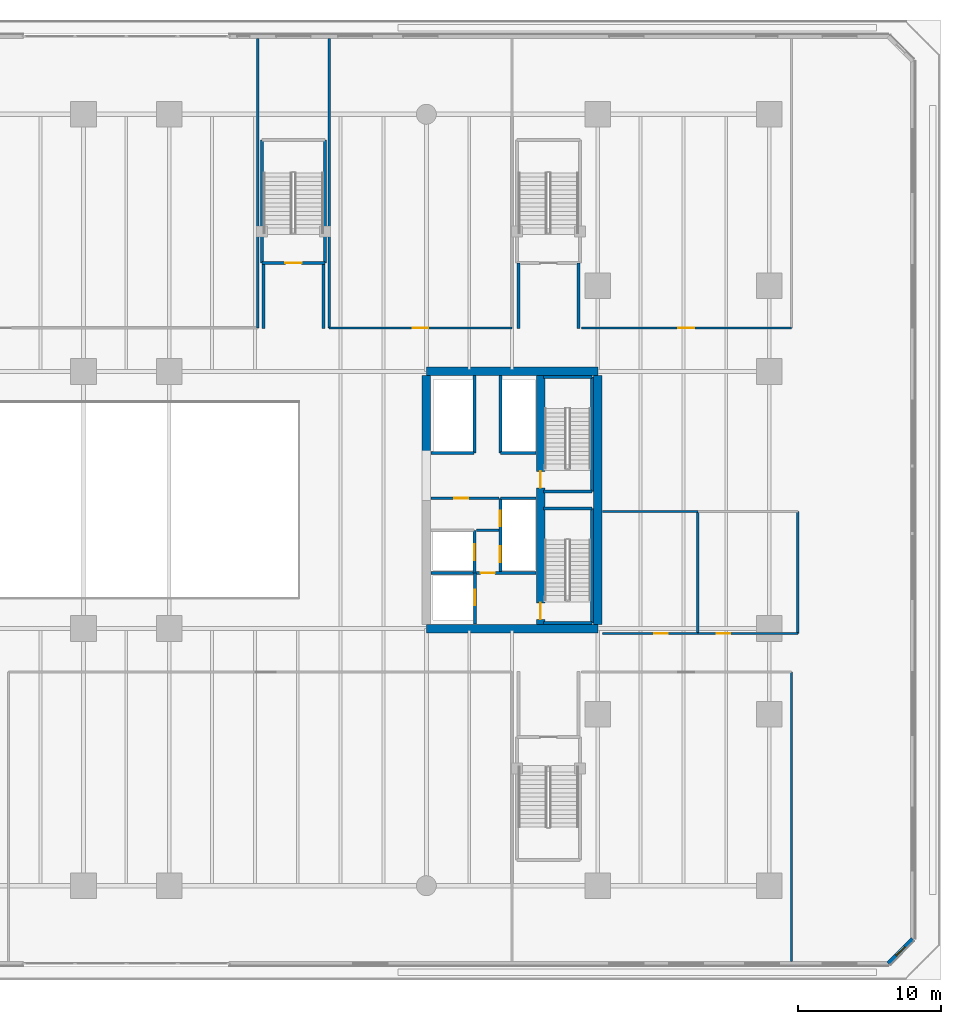
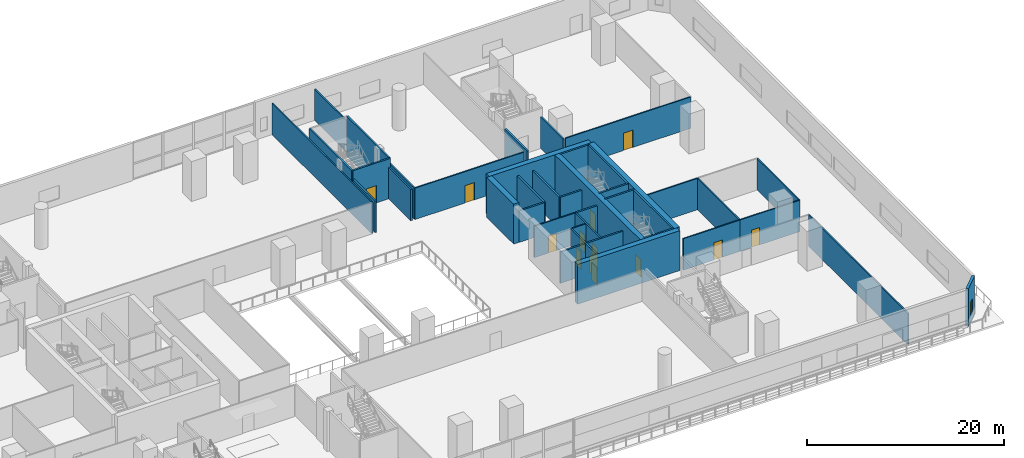
# One storey, part 9 of 24: 40 walls, 13 doors, 1 window, 14 openings.
"""IFC4 building model written with IfcOpenShell, lengths in metres."""

from ifc_helpers import new_model, si_unit, direction, frame, frame_2d, origin, place, context, subcontext, project, spatial, rectangle, extrude, material, layer, layer_set, type_object, element, fill, save


model = new_model("IFC4")

# Units and contexts
model_context = context("Model", 3, precision=1e-05, world=origin(), true_north=direction((0.0, 1.0)))
body_context = subcontext(model_context, "Body", "Model", "MODEL_VIEW")
ifc_project = project(units=[si_unit("LENGTHUNIT", "METRE"), si_unit("AREAUNIT", "SQUARE_METRE"), si_unit("VOLUMEUNIT", "CUBIC_METRE"), si_unit("PLANEANGLEUNIT", "RADIAN"), si_unit("MASSUNIT", "GRAM", prefix="KILO")], contexts=[model_context])

# Site, building, storey
site_placement = place(None, origin())
site = spatial("IfcSite", under=ifc_project, at=site_placement, CompositionType="ELEMENT")
building_placement = place(site_placement, origin())
building = spatial("IfcBuilding", under=site, at=building_placement, Name="Tanjung Sevakor Pilgrim Tower", CompositionType="ELEMENT")
storey_placement = place(building_placement, frame((0.0, 0.0, 4.949951171875)))
storey = spatial("IfcBuildingStorey", under=building, at=storey_placement, Name="L02", CompositionType="ELEMENT", Elevation=4.949951171875)

# Walls
ifc_material_1 = material(Name="Concrete C60/75", Category="concrete")
ifc_layer_1 = layer(ifc_material_1, 0.60009765625)
ifc_layer_set_1 = layer_set([ifc_layer_1], Name="WALL-CW-600")
wall_type_1 = type_object("IfcWallType", Name="WALL-CW-600", PredefinedType="SHEAR", material=ifc_layer_set_1)
for number, where, z_axis, x_axis, name in (
    (1, (78.0, 24.60009765625, 0.0), (0.0, 0.0, 1.0), (1.0, 0.0, 0.0), "L02 E Core South Shear Wall"),
    (2, (90.0, 42.60009765625, 0.0), (0.0, 0.0, 1.0), (-1.0, 0.0, 0.0), "L02 E Core North Shear Wall"),
):
    element("IfcWall", number, at=place(storey_placement, frame(where, z_axis=z_axis, x_axis=x_axis)), inside=storey, type_object=wall_type_1, Name=name, PredefinedType="SHEAR", context=body_context, shape_type="SweptSolid", body=[
        extrude(rectangle(XDim=12.0, YDim=0.60009765625, at=frame_2d((6.0, 0.0))), origin(), (0.0, 0.0, 1.0), 4.949951171875),
    ])
wall_1_placement = place(storey_placement, frame((90.0, 24.89990234375, 0.0), z_axis=(0.0, 0.0, 1.0), x_axis=(0.0, 1.0, 0.0)))
element("IfcWall", 3, at=wall_1_placement, inside=storey, type_object=wall_type_1, Name="L02 E Core Outer Shear Wall", PredefinedType="SHEAR", context=body_context, shape_type="SweptSolid", body=[
    extrude(rectangle(XDim=17.400146484375, YDim=0.60009765625, at=frame_2d((8.7001953125, 0.0))), origin(), (0.0, 0.0, 1.0), 4.949951171875),
])
wall_2_placement = place(storey_placement, frame((78.0, 36.800048828125, 0.0), z_axis=(0.0, 0.0, 1.0), x_axis=(0.0, 1.0, 0.0)))
element("IfcWall", 4, at=wall_2_placement, inside=storey, type_object=wall_type_1, Name="L02 E Core Inner Shear Wall North", PredefinedType="SHEAR", context=body_context, shape_type="SweptSolid", body=[
    extrude(rectangle(XDim=5.5, YDim=0.60009765625, at=frame_2d((2.75, 0.0))), origin(), (0.0, 0.0, 1.0), 4.949951171875),
])

# Wall, openings, doors
wall_3_placement = place(storey_placement, frame((86.0, 24.89990234375, 0.0), z_axis=(0.0, 0.0, 1.0), x_axis=(0.0, 1.0, 0.0)))
wall_3 = element("IfcWall", 5, at=wall_3_placement, inside=storey, type_object=wall_type_1, Name="L02 E Core Stair Spine Wall", PredefinedType="SHEAR", context=body_context, shape_type="SweptSolid", body=[
    extrude(rectangle(XDim=17.400146484375, YDim=0.60009765625, at=frame_2d((8.7001953125, 0.0))), origin(), (0.0, 0.0, 1.0), 4.949951171875),
])
opening_1_placement = place(wall_3_placement, frame((0.35009765625, 0.0, 0.0)))
opening_1 = element("IfcOpeningElement", 6, at=opening_1_placement, cuts=wall_3, Name="Opening ID-ST1", PredefinedType="OPENING", context=body_context, shape_type="SweptSolid", body=[
    extrude(rectangle(XDim=1.14990234375, YDim=2.14990234375, at=frame_2d((0.574951171875, 1.074951171875))), frame((0.0, 0.31005859375, 0.0), z_axis=(0.0, -1.0, 0.0), x_axis=(1.0, 0.0, 0.0)), (0.0, 0.0, 1.0), 0.6201171875),
])
opening_2_placement = place(wall_3_placement, frame((9.550048828125, 0.0, 0.0)))
opening_2 = element("IfcOpeningElement", 7, at=opening_2_placement, cuts=wall_3, Name="Opening ID-ST1", PredefinedType="OPENING", context=body_context, shape_type="SweptSolid", body=[
    extrude(rectangle(XDim=1.14990234375, YDim=2.14990234375, at=frame_2d((0.574951171875, 1.074951171875))), frame((0.0, 0.31005859375, 0.0), z_axis=(0.0, -1.0, 0.0), x_axis=(1.0, 0.0, 0.0)), (0.0, 0.0, 1.0), 0.6201171875),
])
ifc_material_2 = material(Name="Fire-Rated Steel S355J2", Category="steel")
door_type_1 = type_object("IfcDoorType", Name="DT-FIRE-1150", OperationType="NOTDEFINED", PredefinedType="DOOR", material=ifc_material_2)
door_1_placement = place(opening_1_placement, origin())
door_1 = element("IfcDoor", 8, at=door_1_placement, inside=storey, type_object=door_type_1, Name="L02 TS-E1 Stair Fire Door", OperationType="SINGLE_SWING_RIGHT", OverallHeight=2.14990234375, OverallWidth=1.14990234375, PredefinedType="DOOR", context=body_context, shape_type="SweptSolid", body=[
    extrude(rectangle(XDim=1.14990234375, YDim=2.14990234375, at=frame_2d((0.574951171875, 1.074951171875))), frame((0.0, 0.02490234375, 0.0), z_axis=(0.0, -1.0, 0.0), x_axis=(1.0, 0.0, 0.0)), (0.0, 0.0, 1.0), 0.050048828125),
])
fill(opening_1, door_1)
door_2_placement = place(opening_2_placement, origin())
door_2 = element("IfcDoor", 9, at=door_2_placement, inside=storey, type_object=door_type_1, Name="L02 TS-E2 Stair Fire Door", OperationType="SINGLE_SWING_LEFT", OverallHeight=2.14990234375, OverallWidth=1.14990234375, PredefinedType="DOOR", context=body_context, shape_type="SweptSolid", body=[
    extrude(rectangle(XDim=1.14990234375, YDim=2.14990234375, at=frame_2d((0.574951171875, 1.074951171875))), frame((0.0, 0.02490234375, 0.0), z_axis=(0.0, -1.0, 0.0), x_axis=(1.0, 0.0, 0.0)), (0.0, 0.0, 1.0), 0.050048828125),
])
fill(opening_2, door_2)

# Wall
ifc_material_3 = material(Name="Concrete C40/50", Category="concrete")
ifc_layer_2 = layer(ifc_material_3, 0.14990234375)
ifc_layer_set_2 = layer_set([ifc_layer_2], Name="WT-COMP-150")
wall_type_2 = type_object("IfcWallType", Name="WT-COMP-150", PredefinedType="SOLIDWALL", material=ifc_layer_set_2)
wall_4_placement = place(storey_placement, frame((81.5, 31.47998046875, 0.0), z_axis=(0.0, 0.0, 1.0), x_axis=(1.0, 0.0, 0.0)))
element("IfcWall", 10, at=wall_4_placement, inside=storey, type_object=wall_type_2, Name="L02 Partition IW-L02-019", PredefinedType="SOLIDWALL", context=body_context, shape_type="SweptSolid", body=[
    extrude(rectangle(XDim=1.60009765625, YDim=0.14990234375, at=frame_2d((0.800048828125, 0.0))), origin(), (0.0, 0.0, 1.0), 3.889892578125),
])

# Wall, opening, door
wall_5_placement = place(storey_placement, frame((78.320068359375, 33.719970703125, 0.0), z_axis=(0.0, 0.0, 1.0), x_axis=(1.0, 0.0, 0.0)))
wall_5 = element("IfcWall", 11, at=wall_5_placement, inside=storey, type_object=wall_type_2, Name="L02 Partition IW-L02-020", PredefinedType="SOLIDWALL", context=body_context, shape_type="SweptSolid", body=[
    extrude(rectangle(XDim=4.780029296875, YDim=0.14990234375, at=frame_2d((2.39013671875, 0.0))), origin(), (0.0, 0.0, 1.0), 3.889892578125),
])
opening_3_placement = place(wall_5_placement, frame((1.64990234375, 0.0, 0.0)))
opening_3 = element("IfcOpeningElement", 12, at=opening_3_placement, cuts=wall_5, Name="Opening ID-FD2", PredefinedType="OPENING", context=body_context, shape_type="SweptSolid", body=[
    extrude(rectangle(XDim=0.949951171875, YDim=2.14990234375, at=frame_2d((0.47509765625, 1.074951171875))), frame((0.0, 0.0849609375, 0.0), z_axis=(0.0, -1.0, 0.0), x_axis=(1.0, 0.0, 0.0)), (0.0, 0.0, 1.0), 0.169921875),
])
ifc_material_4 = material(Name="Fire-Rated Timber", Category="wood")
door_type_2 = type_object("IfcDoorType", Name="DT-FIRE-950", OperationType="NOTDEFINED", PredefinedType="DOOR", material=ifc_material_4)
door_3_placement = place(opening_3_placement, origin())
door_3 = element("IfcDoor", 13, at=door_3_placement, inside=storey, type_object=door_type_2, Name="L02 Accessible WC Door", OperationType="SINGLE_SWING_RIGHT", OverallHeight=2.14990234375, OverallWidth=0.949951171875, PredefinedType="DOOR", context=body_context, shape_type="SweptSolid", body=[
    extrude(rectangle(XDim=0.949951171875, YDim=2.14990234375, at=frame_2d((0.47509765625, 1.074951171875))), frame((0.0, 0.02490234375, 0.0), z_axis=(0.0, -1.0, 0.0), x_axis=(1.0, 0.0, 0.0)), (0.0, 0.0, 1.0), 0.050048828125),
])
fill(opening_3, door_3)

# Wall
wall_6_placement = place(storey_placement, frame((66.199951171875, 45.64990234375, 0.0), z_axis=(0.0, 0.0, 1.0), x_axis=(0.0, 1.0, 0.0)))
element("IfcWall", 14, at=wall_6_placement, inside=storey, type_object=wall_type_2, Name="L02 Partition IW-L02-044", PredefinedType="SOLIDWALL", context=body_context, shape_type="SweptSolid", body=[
    extrude(rectangle(XDim=20.25, YDim=0.14990234375, at=frame_2d((10.125, 0.0))), origin(), (0.0, 0.0, 1.0), 3.889892578125),
])

# Wall, opening, door
wall_7_placement = place(storey_placement, frame((90.320068359375, 24.25, 0.0), z_axis=(0.0, 0.0, 1.0), x_axis=(1.0, 0.0, 0.0)))
wall_7 = element("IfcWall", 15, at=wall_7_placement, inside=storey, type_object=wall_type_2, Name="L02 Partition IW-L02-051", PredefinedType="SOLIDWALL", context=body_context, shape_type="SweptSolid", body=[
    extrude(rectangle(XDim=6.679931640625, YDim=0.14990234375, at=frame_2d((3.33984375, 0.0))), origin(), (0.0, 0.0, 1.0), 3.889892578125),
])
opening_4_placement = place(wall_7_placement, frame((3.625, 0.0, 0.0)))
opening_4 = element("IfcOpeningElement", 16, at=opening_4_placement, cuts=wall_7, Name="Opening ID-RM1", PredefinedType="OPENING", context=body_context, shape_type="SweptSolid", body=[
    extrude(rectangle(XDim=0.949951171875, YDim=2.14990234375, at=frame_2d((0.47509765625, 1.074951171875))), frame((0.0, 0.0849609375, 0.0), z_axis=(0.0, -1.0, 0.0), x_axis=(1.0, 0.0, 0.0)), (0.0, 0.0, 1.0), 0.169921875),
])
ifc_material_5 = material(Name="Hardwood Timber", Category="wood")
door_type_3 = type_object("IfcDoorType", Name="DT-INT-950", OperationType="NOTDEFINED", PredefinedType="DOOR", material=ifc_material_5)
door_4_placement = place(opening_4_placement, origin())
door_4 = element("IfcDoor", 17, at=door_4_placement, inside=storey, type_object=door_type_3, Name="L02 Female Ablution Door", OperationType="SINGLE_SWING_RIGHT", OverallHeight=2.14990234375, OverallWidth=0.949951171875, PredefinedType="DOOR", context=body_context, shape_type="SweptSolid", body=[
    extrude(rectangle(XDim=0.949951171875, YDim=2.14990234375, at=frame_2d((0.47509765625, 1.074951171875))), frame((0.0, 0.02490234375, 0.0), z_axis=(0.0, -1.0, 0.0), x_axis=(1.0, 0.0, 0.0)), (0.0, 0.0, 1.0), 0.050048828125),
])
fill(opening_4, door_4)

# Wall
wall_8_placement = place(storey_placement, frame((90.320068359375, 32.800048828125, 0.0), z_axis=(0.0, 0.0, 1.0), x_axis=(1.0, 0.0, 0.0)))
element("IfcWall", 18, at=wall_8_placement, inside=storey, type_object=wall_type_2, Name="L02 Partition IW-L02-052", PredefinedType="SOLIDWALL", context=body_context, shape_type="SweptSolid", body=[
    extrude(rectangle(XDim=6.679931640625, YDim=0.14990234375, at=frame_2d((3.33984375, 0.0))), origin(), (0.0, 0.0, 1.0), 3.889892578125),
])

# Wall, opening, door
wall_9_placement = place(storey_placement, frame((97.0, 24.25, 0.0), z_axis=(0.0, 0.0, 1.0), x_axis=(1.0, 0.0, 0.0)))
wall_9 = element("IfcWall", 19, at=wall_9_placement, inside=storey, type_object=wall_type_2, Name="L02 Partition IW-L02-053", PredefinedType="SOLIDWALL", context=body_context, shape_type="SweptSolid", body=[
    extrude(rectangle(XDim=7.0, YDim=0.14990234375, at=frame_2d((3.5, 0.0))), origin(), (0.0, 0.0, 1.0), 3.889892578125),
])
opening_5_placement = place(wall_9_placement, frame((1.324951171875, 0.0, 0.0)))
opening_5 = element("IfcOpeningElement", 20, at=opening_5_placement, cuts=wall_9, Name="Opening ID-RM1", PredefinedType="OPENING", context=body_context, shape_type="SweptSolid", body=[
    extrude(rectangle(XDim=0.949951171875, YDim=2.14990234375, at=frame_2d((0.47509765625, 1.074951171875))), frame((0.0, 0.0849609375, 0.0), z_axis=(0.0, -1.0, 0.0), x_axis=(1.0, 0.0, 0.0)), (0.0, 0.0, 1.0), 0.169921875),
])
door_5_placement = place(opening_5_placement, origin())
door_5 = element("IfcDoor", 21, at=door_5_placement, inside=storey, type_object=door_type_3, Name="L02 Female Washroom Door", OperationType="SINGLE_SWING_LEFT", OverallHeight=2.14990234375, OverallWidth=0.949951171875, PredefinedType="DOOR", context=body_context, shape_type="SweptSolid", body=[
    extrude(rectangle(XDim=0.949951171875, YDim=2.14990234375, at=frame_2d((0.47509765625, 1.074951171875))), frame((0.0, 0.02490234375, 0.0), z_axis=(0.0, -1.0, 0.0), x_axis=(1.0, 0.0, 0.0)), (0.0, 0.0, 1.0), 0.050048828125),
])
fill(opening_5, door_5)

# Walls
for number, where, z_axis, x_axis, name in (
    (22, (97.0, 24.25, 0.0), (0.0, 0.0, 1.0), (0.0, 1.0, 0.0), "L02 Partition IW-L02-055"),
    (23, (104.0, 24.25, 0.0), (0.0, 0.0, 1.0), (0.0, 1.0, 0.0), "L02 Partition IW-L02-056"),
):
    element("IfcWall", number, at=place(storey_placement, frame(where, z_axis=z_axis, x_axis=x_axis)), inside=storey, type_object=wall_type_2, Name=name, PredefinedType="SOLIDWALL", context=body_context, shape_type="SweptSolid", body=[
        extrude(rectangle(XDim=8.550048828125, YDim=0.14990234375, at=frame_2d((4.27490234375, 0.0))), origin(), (0.0, 0.0, 1.0), 3.889892578125),
    ])

# Wall, opening, door
wall_10_placement = place(storey_placement, frame((71.199951171875, 45.64990234375, 0.0), z_axis=(0.0, 0.0, 1.0), x_axis=(1.0, 0.0, 0.0)))
wall_10 = element("IfcWall", 24, at=wall_10_placement, inside=storey, type_object=wall_type_2, Name="L02 Partition IW-L02-060", PredefinedType="SOLIDWALL", context=body_context, shape_type="SweptSolid", body=[
    extrude(rectangle(XDim=12.800048828125, YDim=0.14990234375, at=frame_2d((6.39990234375, 0.0))), origin(), (0.0, 0.0, 1.0), 3.889892578125),
])
opening_6_placement = place(wall_10_placement, frame((5.85009765625, 0.0, 0.0)))
opening_6 = element("IfcOpeningElement", 25, at=opening_6_placement, cuts=wall_10, Name="Opening ID-RM2", PredefinedType="OPENING", context=body_context, shape_type="SweptSolid", body=[
    extrude(rectangle(XDim=1.10009765625, YDim=2.14990234375, at=frame_2d((0.550048828125, 1.074951171875))), frame((0.0, 0.0849609375, 0.0), z_axis=(0.0, -1.0, 0.0), x_axis=(1.0, 0.0, 0.0)), (0.0, 0.0, 1.0), 0.169921875),
])
ifc_material_6 = material(Name="Hardwood Timber", Category="wood")
door_type_4 = type_object("IfcDoorType", Name="DT-INT-1100", OperationType="NOTDEFINED", PredefinedType="DOOR", material=ifc_material_6)
door_6_placement = place(opening_6_placement, origin())
door_6 = element("IfcDoor", 26, at=door_6_placement, inside=storey, type_object=door_type_4, Name="L02 Community Room Door", OperationType="SINGLE_SWING_LEFT", OverallHeight=2.14990234375, OverallWidth=1.10009765625, PredefinedType="DOOR", context=body_context, shape_type="SweptSolid", body=[
    extrude(rectangle(XDim=1.10009765625, YDim=2.14990234375, at=frame_2d((0.550048828125, 1.074951171875))), frame((0.0, 0.02490234375, 0.0), z_axis=(0.0, -1.0, 0.0), x_axis=(1.0, 0.0, 0.0)), (0.0, 0.0, 1.0), 0.050048828125),
])
fill(opening_6, door_6)

# Wall
wall_11_placement = place(storey_placement, frame((71.199951171875, 45.64990234375, 0.0), z_axis=(0.0, 0.0, 1.0), x_axis=(0.0, 1.0, 0.0)))
element("IfcWall", 27, at=wall_11_placement, inside=storey, type_object=wall_type_2, Name="L02 Partition IW-L02-061", PredefinedType="SOLIDWALL", context=body_context, shape_type="SweptSolid", body=[
    extrude(rectangle(XDim=20.25, YDim=0.14990234375, at=frame_2d((10.125, 0.0))), origin(), (0.0, 0.0, 1.0), 3.889892578125),
])

# Wall, opening, door
wall_12_placement = place(storey_placement, frame((88.85009765625, 45.64990234375, 0.0), z_axis=(0.0, 0.0, 1.0), x_axis=(1.0, 0.0, 0.0)))
wall_12 = element("IfcWall", 28, at=wall_12_placement, inside=storey, type_object=wall_type_2, Name="L02 Partition IW-L02-063", PredefinedType="SOLIDWALL", context=body_context, shape_type="SweptSolid", body=[
    extrude(rectangle(XDim=14.699951171875, YDim=0.14990234375, at=frame_2d((7.35009765625, 0.0))), origin(), (0.0, 0.0, 1.0), 3.889892578125),
])
opening_7_placement = place(wall_12_placement, frame((6.800048828125, 0.0, 0.0)))
opening_7 = element("IfcOpeningElement", 29, at=opening_7_placement, cuts=wall_12, Name="Opening ID-RM2", PredefinedType="OPENING", context=body_context, shape_type="SweptSolid", body=[
    extrude(rectangle(XDim=1.10009765625, YDim=2.14990234375, at=frame_2d((0.550048828125, 1.074951171875))), frame((0.0, 0.0849609375, 0.0), z_axis=(0.0, -1.0, 0.0), x_axis=(1.0, 0.0, 0.0)), (0.0, 0.0, 1.0), 0.169921875),
])
door_7_placement = place(opening_7_placement, origin())
door_7 = element("IfcDoor", 30, at=door_7_placement, inside=storey, type_object=door_type_4, Name="L02 NE Council Door", OperationType="SINGLE_SWING_RIGHT", OverallHeight=2.14990234375, OverallWidth=1.10009765625, PredefinedType="DOOR", context=body_context, shape_type="SweptSolid", body=[
    extrude(rectangle(XDim=1.10009765625, YDim=2.14990234375, at=frame_2d((0.550048828125, 1.074951171875))), frame((0.0, 0.02490234375, 0.0), z_axis=(0.0, -1.0, 0.0), x_axis=(1.0, 0.0, 0.0)), (0.0, 0.0, 1.0), 0.050048828125),
])
fill(opening_7, door_7)

# Wall
wall_13_placement = place(storey_placement, frame((103.550048828125, 1.300048828125, 0.0), z_axis=(0.0, 0.0, 1.0), x_axis=(0.0, 1.0, 0.0)))
element("IfcWall", 31, at=wall_13_placement, inside=storey, type_object=wall_type_2, Name="L02 Partition IW-L02-073", PredefinedType="SOLIDWALL", context=body_context, shape_type="SweptSolid", body=[
    extrude(rectangle(XDim=20.25, YDim=0.14990234375, at=frame_2d((10.125, 0.0))), origin(), (0.0, 0.0, 1.0), 3.889892578125),
])

# Wall, opening, window
ifc_material_7 = material(Name="Precast concrete C45/55", Category="concrete")
ifc_layer_3 = layer(ifc_material_7, 0.300048828125)
ifc_layer_set_3 = layer_set([ifc_layer_3], Name="WT-EW-STN1")
wall_type_3 = type_object("IfcWallType", Name="WT-EW-STN1", PredefinedType="SOLIDWALL", material=ifc_layer_set_3)
wall_14_placement = place(storey_placement, frame((110.337890625, 1.14990234375, 0.0), z_axis=(0.0, 0.0, 1.0), x_axis=(0.707106781187, 0.707106781187, 0.0)))
wall_14 = element("IfcWall", 32, at=wall_14_placement, inside=storey, type_object=wall_type_3, Name="L02 MAIN Exterior Wall 2", PredefinedType="SOLIDWALL", context=body_context, shape_type="SweptSolid", body=[
    extrude(rectangle(XDim=2.42138671875, YDim=0.300048828125, at=frame_2d((1.210693359375, 0.0))), origin(), (0.0, 0.0, 1.0), 4.669921875),
])
opening_8_placement = place(wall_14_placement, frame((0.78564453125, 0.0, 0.780029296875)))
opening_8 = element("IfcOpeningElement", 33, at=opening_8_placement, cuts=wall_14, Name="Opening WN-SLM", PredefinedType="OPENING", context=body_context, shape_type="SweptSolid", body=[
    extrude(rectangle(XDim=0.85009765625, YDim=1.64990234375, at=frame_2d((0.425048828125, 0.824951171875))), frame((0.0, 0.159912109375, 0.0), z_axis=(0.0, -1.0, 0.0), x_axis=(1.0, 0.0, 0.0)), (0.0, 0.0, 1.0), 0.320068359375),
])
ifc_material_8 = material(Name="Thermally Broken Aluminium and Low-E Glass", Category="aluminium")
window_type = type_object("IfcWindowType", Name="WTYP-WN-SLM", PartitioningType="SINGLE_PANEL", PredefinedType="WINDOW", material=ifc_material_8)
window_placement = place(opening_8_placement, origin())
window = element("IfcWindow", 34, at=window_placement, inside=storey, type_object=window_type, Name="L02 Facade Window 01", OverallHeight=1.64990234375, OverallWidth=0.85009765625, PartitioningType="SINGLE_PANEL", PredefinedType="WINDOW", context=body_context, shape_type="SweptSolid", body=[
    extrude(rectangle(XDim=0.85009765625, YDim=1.64990234375, at=frame_2d((0.425048828125, 0.824951171875))), frame((0.0, 0.030029296875, 0.0), z_axis=(0.0, -1.0, 0.0), x_axis=(1.0, 0.0, 0.0)), (0.0, 0.0, 1.0), 0.06005859375),
])
fill(opening_8, window)

# Walls
ifc_material_9 = material(Name="Concrete C40/50", Category="concrete")
ifc_layer_4 = layer(ifc_material_9, 0.199951171875)
ifc_layer_set_4 = layer_set([ifc_layer_4], Name="WT-FIRE-200")
wall_type_4 = type_object("IfcWallType", Name="WT-FIRE-200", PredefinedType="SOLIDWALL", material=ifc_layer_set_4)
wall_15_placement = place(storey_placement, frame((86.199951171875, 25.0, 0.0), z_axis=(0.0, 0.0, 1.0), x_axis=(1.0, 0.0, 0.0)))
element("IfcWall", 35, at=wall_15_placement, inside=storey, type_object=wall_type_4, Name="L02 TS-E1 Shaft Wall 1", PredefinedType="SOLIDWALL", context=body_context, shape_type="SweptSolid", body=[
    extrude(rectangle(XDim=3.400146484375, YDim=0.199951171875, at=frame_2d((1.7001953125, 0.0))), origin(), (0.0, 0.0, 1.0), 4.949951171875),
])
wall_16_placement = place(storey_placement, frame((89.60009765625, 25.0, 0.0), z_axis=(0.0, 0.0, 1.0), x_axis=(0.0, 1.0, 0.0)))
element("IfcWall", 36, at=wall_16_placement, inside=storey, type_object=wall_type_4, Name="L02 TS-E1 Shaft Wall 2", PredefinedType="SOLIDWALL", context=body_context, shape_type="SweptSolid", body=[
    extrude(rectangle(XDim=8.0, YDim=0.199951171875, at=frame_2d((4.0, 0.0))), origin(), (0.0, 0.0, 1.0), 4.949951171875),
])
for number, where, z_axis, x_axis, name in (
    (37, (89.60009765625, 33.0, 0.0), (0.0, 0.0, 1.0), (-1.0, 0.0, 0.0), "L02 TS-E1 Shaft Wall 3"),
    (38, (86.199951171875, 34.199951171875, 0.0), (0.0, 0.0, 1.0), (1.0, 0.0, 0.0), "L02 TS-E2 Shaft Wall 1"),
):
    element("IfcWall", number, at=place(storey_placement, frame(where, z_axis=z_axis, x_axis=x_axis)), inside=storey, type_object=wall_type_4, Name=name, PredefinedType="SOLIDWALL", context=body_context, shape_type="SweptSolid", body=[
        extrude(rectangle(XDim=3.400146484375, YDim=0.199951171875, at=frame_2d((1.7001953125, 0.0))), origin(), (0.0, 0.0, 1.0), 4.949951171875),
    ])
wall_17_placement = place(storey_placement, frame((89.60009765625, 34.199951171875, 0.0), z_axis=(0.0, 0.0, 1.0), x_axis=(0.0, 1.0, 0.0)))
element("IfcWall", 39, at=wall_17_placement, inside=storey, type_object=wall_type_4, Name="L02 TS-E2 Shaft Wall 2", PredefinedType="SOLIDWALL", context=body_context, shape_type="SweptSolid", body=[
    extrude(rectangle(XDim=8.0, YDim=0.199951171875, at=frame_2d((4.0, 0.0))), origin(), (0.0, 0.0, 1.0), 4.949951171875),
])
wall_18_placement = place(storey_placement, frame((89.60009765625, 42.199951171875, 0.0), z_axis=(0.0, 0.0, 1.0), x_axis=(-1.0, 0.0, 0.0)))
element("IfcWall", 40, at=wall_18_placement, inside=storey, type_object=wall_type_4, Name="L02 TS-E2 Shaft Wall 3", PredefinedType="SOLIDWALL", context=body_context, shape_type="SweptSolid", body=[
    extrude(rectangle(XDim=3.400146484375, YDim=0.199951171875, at=frame_2d((1.7001953125, 0.0))), origin(), (0.0, 0.0, 1.0), 4.949951171875),
])

# Wall, opening, door
wall_19_placement = place(storey_placement, frame((66.5, 50.199951171875, 0.0), z_axis=(0.0, 0.0, 1.0), x_axis=(1.0, 0.0, 0.0)))
wall_19 = element("IfcWall", 41, at=wall_19_placement, inside=storey, type_object=wall_type_4, Name="L02 PS-4 Shaft Wall 1", PredefinedType="SOLIDWALL", context=body_context, shape_type="SweptSolid", body=[
    extrude(rectangle(XDim=4.39990234375, YDim=0.199951171875, at=frame_2d((2.199951171875, 0.0))), origin(), (0.0, 0.0, 1.0), 4.949951171875),
])
opening_9_placement = place(wall_19_placement, frame((1.625, 0.0, 0.0)))
opening_9 = element("IfcOpeningElement", 42, at=opening_9_placement, cuts=wall_19, Name="Opening ID-ST1", PredefinedType="OPENING", context=body_context, shape_type="SweptSolid", body=[
    extrude(rectangle(XDim=1.14990234375, YDim=2.14990234375, at=frame_2d((0.574951171875, 1.074951171875))), frame((0.0, 0.10986328125, 0.0), z_axis=(0.0, -1.0, 0.0), x_axis=(1.0, 0.0, 0.0)), (0.0, 0.0, 1.0), 0.219970703125),
])
door_8_placement = place(opening_9_placement, origin())
door_8 = element("IfcDoor", 43, at=door_8_placement, inside=storey, type_object=door_type_1, Name="L02 PS-4 Stair Entry Fire Door", OperationType="SINGLE_SWING_LEFT", OverallHeight=2.14990234375, OverallWidth=1.14990234375, PredefinedType="DOOR", context=body_context, shape_type="SweptSolid", body=[
    extrude(rectangle(XDim=1.14990234375, YDim=2.14990234375, at=frame_2d((0.574951171875, 1.074951171875))), frame((0.0, 0.02490234375, 0.0), z_axis=(0.0, -1.0, 0.0), x_axis=(1.0, 0.0, 0.0)), (0.0, 0.0, 1.0), 0.050048828125),
])
fill(opening_9, door_8)

# Walls
for number, where, z_axis, x_axis, name in (
    (44, (70.89990234375, 50.199951171875, 0.0), (0.0, 0.0, 1.0), (0.0, 1.0, 0.0), "L02 PS-4 Shaft Wall 2"),
    (45, (66.5, 58.800048828125, 0.0), (0.0, 0.0, 1.0), (0.0, -1.0, 0.0), "L02 PS-4 Shaft Wall 4"),
):
    element("IfcWall", number, at=place(storey_placement, frame(where, z_axis=z_axis, x_axis=x_axis)), inside=storey, type_object=wall_type_4, Name=name, PredefinedType="SOLIDWALL", context=body_context, shape_type="SweptSolid", body=[
        extrude(rectangle(XDim=8.60009765625, YDim=0.199951171875, at=frame_2d((4.300048828125, 0.0))), origin(), (0.0, 0.0, 1.0), 4.949951171875),
    ])

# Wall, opening, door
ifc_material_10 = material(Name="Concrete C40/50", Category="concrete")
ifc_layer_5 = layer(ifc_material_10, 0.199951171875)
ifc_layer_set_5 = layer_set([ifc_layer_5], Name="WT-FPRT-200")
wall_type_5 = type_object("IfcWallType", Name="WT-FPRT-200", PredefinedType="SOLIDWALL", material=ifc_layer_set_5)
wall_20_placement = place(storey_placement, frame((81.39990234375, 24.919921875, 0.0), z_axis=(0.0, 0.0, 1.0), x_axis=(0.0, 1.0, 0.0)))
wall_20 = element("IfcWall", 46, at=wall_20_placement, inside=storey, type_object=wall_type_5, Name="L02 Partition IW-L02-013", PredefinedType="SOLIDWALL", context=body_context, shape_type="SweptSolid", body=[
    extrude(rectangle(XDim=3.580078125, YDim=0.199951171875, at=frame_2d((1.7900390625, 0.0))), origin(), (0.0, 0.0, 1.0), 3.889892578125),
])
opening_10_placement = place(wall_20_placement, frame((1.300048828125, 0.0, 0.0)))
opening_10 = element("IfcOpeningElement", 47, at=opening_10_placement, cuts=wall_20, Name="Opening LD-1100", PredefinedType="OPENING", context=body_context, shape_type="SweptSolid", body=[
    extrude(rectangle(XDim=1.10009765625, YDim=2.199951171875, at=frame_2d((0.550048828125, 1.10009765625))), frame((0.0, 0.10986328125, 0.0), z_axis=(0.0, -1.0, 0.0), x_axis=(1.0, 0.0, 0.0)), (0.0, 0.0, 1.0), 0.219970703125),
])
ifc_material_11 = material(Name="Brushed Stainless Steel S355J2", Category="steel")
door_type_5 = type_object("IfcDoorType", Name="DT-LIFT-1100", OperationType="SLIDING_TO_LEFT", PredefinedType="DOOR", material=ifc_material_11)
door_9_placement = place(opening_10_placement, origin())
door_9 = element("IfcDoor", 48, at=door_9_placement, inside=storey, type_object=door_type_5, Name="LD-FL-E", OperationType="SLIDING_TO_LEFT", OverallHeight=2.199951171875, OverallWidth=1.10009765625, PredefinedType="DOOR", context=body_context, shape_type="SweptSolid", body=[
    extrude(rectangle(XDim=1.10009765625, YDim=2.199951171875, at=frame_2d((0.550048828125, 1.10009765625))), frame((0.0, 0.02490234375, 0.0), z_axis=(0.0, -1.0, 0.0), x_axis=(1.0, 0.0, 0.0)), (0.0, 0.0, 1.0), 0.050048828125),
])
fill(opening_10, door_9)

wall_21_placement = place(storey_placement, frame((78.320068359375, 28.5, 0.0), z_axis=(0.0, 0.0, 1.0), x_axis=(1.0, 0.0, 0.0)))
wall_21 = element("IfcWall", 49, at=wall_21_placement, inside=storey, type_object=wall_type_5, Name="L02 Partition IW-L02-014", PredefinedType="SOLIDWALL", context=body_context, shape_type="SweptSolid", body=[
    extrude(rectangle(XDim=7.35986328125, YDim=0.199951171875, at=frame_2d((3.679931640625, 0.0))), origin(), (0.0, 0.0, 1.0), 3.889892578125),
])
opening_11_placement = place(wall_21_placement, frame((3.47998046875, 0.0, 0.0)))
opening_11 = element("IfcOpeningElement", 50, at=opening_11_placement, cuts=wall_21, Name="Opening ID-FD1", PredefinedType="OPENING", context=body_context, shape_type="SweptSolid", body=[
    extrude(rectangle(XDim=1.0, YDim=2.14990234375, at=frame_2d((0.5, 1.074951171875))), frame((0.0, 0.10986328125, 0.0), z_axis=(0.0, -1.0, 0.0), x_axis=(1.0, 0.0, 0.0)), (0.0, 0.0, 1.0), 0.219970703125),
])
ifc_material_12 = material(Name="Fire-Rated Steel S355J2", Category="steel")
door_type_6 = type_object("IfcDoorType", Name="DT-FIRE-1000", OperationType="NOTDEFINED", PredefinedType="DOOR", material=ifc_material_12)
door_10_placement = place(opening_11_placement, origin())
door_10 = element("IfcDoor", 51, at=door_10_placement, inside=storey, type_object=door_type_6, Name="Fire Lobby Door E", OperationType="SINGLE_SWING_RIGHT", OverallHeight=2.14990234375, OverallWidth=1.0, PredefinedType="DOOR", context=body_context, shape_type="SweptSolid", body=[
    extrude(rectangle(XDim=1.0, YDim=2.14990234375, at=frame_2d((0.5, 1.074951171875))), frame((0.0, 0.02490234375, 0.0), z_axis=(0.0, -1.0, 0.0), x_axis=(1.0, 0.0, 0.0)), (0.0, 0.0, 1.0), 0.050048828125),
])
fill(opening_11, door_10)

# Wall
wall_22_placement = place(storey_placement, frame((83.199951171875, 33.719970703125, 0.0), z_axis=(0.0, 0.0, 1.0), x_axis=(1.0, 0.0, 0.0)))
element("IfcWall", 52, at=wall_22_placement, inside=storey, type_object=wall_type_5, Name="L02 Partition IW-L02-015", PredefinedType="SOLIDWALL", context=body_context, shape_type="SweptSolid", body=[
    extrude(rectangle(XDim=2.47998046875, YDim=0.199951171875, at=frame_2d((1.239990234375, 0.0))), origin(), (0.0, 0.0, 1.0), 3.889892578125),
])

# Wall, openings, doors
wall_23_placement = place(storey_placement, frame((83.179931640625, 28.5, 0.0), z_axis=(0.0, 0.0, 1.0), x_axis=(0.0, 1.0, 0.0)))
wall_23 = element("IfcWall", 53, at=wall_23_placement, inside=storey, type_object=wall_type_5, Name="L02 Partition IW-L02-016", PredefinedType="SOLIDWALL", context=body_context, shape_type="SweptSolid", body=[
    extrude(rectangle(XDim=5.219970703125, YDim=0.199951171875, at=frame_2d((2.60986328125, 0.0))), origin(), (0.0, 0.0, 1.0), 3.889892578125),
])
opening_12_placement = place(wall_23_placement, frame((0.75, 0.0, 0.0)))
opening_12 = element("IfcOpeningElement", 54, at=opening_12_placement, cuts=wall_23, Name="Opening LD-1100", PredefinedType="OPENING", context=body_context, shape_type="SweptSolid", body=[
    extrude(rectangle(XDim=1.10009765625, YDim=2.199951171875, at=frame_2d((0.550048828125, 1.10009765625))), frame((0.0, 0.10986328125, 0.0), z_axis=(0.0, -1.0, 0.0), x_axis=(1.0, 0.0, 0.0)), (0.0, 0.0, 1.0), 0.219970703125),
])
opening_13_placement = place(wall_23_placement, frame((3.25, 0.0, 0.0)))
opening_13 = element("IfcOpeningElement", 55, at=opening_13_placement, cuts=wall_23, Name="Opening LD-1100", PredefinedType="OPENING", context=body_context, shape_type="SweptSolid", body=[
    extrude(rectangle(XDim=1.10009765625, YDim=2.199951171875, at=frame_2d((0.550048828125, 1.10009765625))), frame((0.0, 0.10986328125, 0.0), z_axis=(0.0, -1.0, 0.0), x_axis=(1.0, 0.0, 0.0)), (0.0, 0.0, 1.0), 0.219970703125),
])
door_11_placement = place(opening_12_placement, origin())
door_11 = element("IfcDoor", 56, at=door_11_placement, inside=storey, type_object=door_type_5, Name="LD-PLL1-E", OperationType="SLIDING_TO_LEFT", OverallHeight=2.199951171875, OverallWidth=1.10009765625, PredefinedType="DOOR", context=body_context, shape_type="SweptSolid", body=[
    extrude(rectangle(XDim=1.10009765625, YDim=2.199951171875, at=frame_2d((0.550048828125, 1.10009765625))), frame((0.0, 0.02490234375, 0.0), z_axis=(0.0, -1.0, 0.0), x_axis=(1.0, 0.0, 0.0)), (0.0, 0.0, 1.0), 0.050048828125),
])
fill(opening_12, door_11)
door_12_placement = place(opening_13_placement, origin())
door_12 = element("IfcDoor", 57, at=door_12_placement, inside=storey, type_object=door_type_5, Name="LD-PLL2-E", OperationType="SLIDING_TO_RIGHT", OverallHeight=2.199951171875, OverallWidth=1.10009765625, PredefinedType="DOOR", context=body_context, shape_type="SweptSolid", body=[
    extrude(rectangle(XDim=1.10009765625, YDim=2.199951171875, at=frame_2d((0.550048828125, 1.10009765625))), frame((0.0, 0.02490234375, 0.0), z_axis=(0.0, -1.0, 0.0), x_axis=(1.0, 0.0, 0.0)), (0.0, 0.0, 1.0), 0.050048828125),
])
fill(opening_13, door_12)

# Wall, opening, door
wall_24_placement = place(storey_placement, frame((81.3798828125, 28.5, 0.0), z_axis=(0.0, 0.0, 1.0), x_axis=(0.0, 1.0, 0.0)))
wall_24 = element("IfcWall", 58, at=wall_24_placement, inside=storey, type_object=wall_type_5, Name="L02 Partition IW-L02-018", PredefinedType="SOLIDWALL", context=body_context, shape_type="SweptSolid", body=[
    extrude(rectangle(XDim=2.97998046875, YDim=0.199951171875, at=frame_2d((1.489990234375, 0.0))), origin(), (0.0, 0.0, 1.0), 3.889892578125),
])
opening_14_placement = place(wall_24_placement, frame((0.89990234375, 0.0, 0.0)))
opening_14 = element("IfcOpeningElement", 59, at=opening_14_placement, cuts=wall_24, Name="Opening LD-1100", PredefinedType="OPENING", context=body_context, shape_type="SweptSolid", body=[
    extrude(rectangle(XDim=1.10009765625, YDim=2.199951171875, at=frame_2d((0.550048828125, 1.10009765625))), frame((0.0, 0.10986328125, 0.0), z_axis=(0.0, -1.0, 0.0), x_axis=(1.0, 0.0, 0.0)), (0.0, 0.0, 1.0), 0.219970703125),
])
door_13_placement = place(opening_14_placement, origin())
door_13 = element("IfcDoor", 60, at=door_13_placement, inside=storey, type_object=door_type_5, Name="LD-SLP-E", OperationType="SLIDING_TO_LEFT", OverallHeight=2.199951171875, OverallWidth=1.10009765625, PredefinedType="DOOR", context=body_context, shape_type="SweptSolid", body=[
    extrude(rectangle(XDim=1.10009765625, YDim=2.199951171875, at=frame_2d((0.550048828125, 1.10009765625))), frame((0.0, 0.02490234375, 0.0), z_axis=(0.0, -1.0, 0.0), x_axis=(1.0, 0.0, 0.0)), (0.0, 0.0, 1.0), 0.050048828125),
])
fill(opening_14, door_13)

# Walls
wall_25_placement = place(storey_placement, frame((83.199951171875, 36.8798828125, 0.0), z_axis=(0.0, 0.0, 1.0), x_axis=(1.0, 0.0, 0.0)))
element("IfcWall", 61, at=wall_25_placement, inside=storey, type_object=wall_type_5, Name="L02 Partition IW-L02-021", PredefinedType="SOLIDWALL", context=body_context, shape_type="SweptSolid", body=[
    extrude(rectangle(XDim=2.47998046875, YDim=0.199951171875, at=frame_2d((1.239990234375, 0.0))), origin(), (0.0, 0.0, 1.0), 3.889892578125),
])
wall_26_placement = place(storey_placement, frame((83.179931640625, 36.8798828125, 0.0), z_axis=(0.0, 0.0, 1.0), x_axis=(0.0, 1.0, 0.0)))
element("IfcWall", 62, at=wall_26_placement, inside=storey, type_object=wall_type_5, Name="L02 Partition IW-L02-022", PredefinedType="SOLIDWALL", context=body_context, shape_type="SweptSolid", body=[
    extrude(rectangle(XDim=5.420166015625, YDim=0.199951171875, at=frame_2d((2.7099609375, 0.0))), origin(), (0.0, 0.0, 1.0), 3.889892578125),
])
wall_27_placement = place(storey_placement, frame((78.320068359375, 36.8798828125, 0.0), z_axis=(0.0, 0.0, 1.0), x_axis=(1.0, 0.0, 0.0)))
element("IfcWall", 63, at=wall_27_placement, inside=storey, type_object=wall_type_5, Name="L02 Partition IW-L02-023", PredefinedType="SOLIDWALL", context=body_context, shape_type="SweptSolid", body=[
    extrude(rectangle(XDim=3.0, YDim=0.199951171875, at=frame_2d((1.5, 0.0))), origin(), (0.0, 0.0, 1.0), 3.889892578125),
])
wall_28_placement = place(storey_placement, frame((81.3798828125, 36.8798828125, 0.0), z_axis=(0.0, 0.0, 1.0), x_axis=(0.0, 1.0, 0.0)))
element("IfcWall", 64, at=wall_28_placement, inside=storey, type_object=wall_type_5, Name="L02 Partition IW-L02-024", PredefinedType="SOLIDWALL", context=body_context, shape_type="SweptSolid", body=[
    extrude(rectangle(XDim=5.420166015625, YDim=0.199951171875, at=frame_2d((2.7099609375, 0.0))), origin(), (0.0, 0.0, 1.0), 3.889892578125),
])
for number, where, z_axis, x_axis, name in (
    (65, (66.60009765625, 45.60009765625, 0.0), (0.0, 0.0, 1.0), (0.0, 1.0, 0.0), "L02 Partition IW-L02-033"),
    (66, (70.800048828125, 45.60009765625, 0.0), (0.0, 0.0, 1.0), (0.0, 1.0, 0.0), "L02 Partition IW-L02-034"),
    (67, (84.449951171875, 45.60009765625, 0.0), (0.0, 0.0, 1.0), (0.0, 1.0, 0.0), "L02 Partition IW-L02-035"),
    (68, (88.64990234375, 45.60009765625, 0.0), (0.0, 0.0, 1.0), (0.0, 1.0, 0.0), "L02 Partition IW-L02-036"),
):
    element("IfcWall", number, at=place(storey_placement, frame(where, z_axis=z_axis, x_axis=x_axis)), inside=storey, type_object=wall_type_5, Name=name, PredefinedType="SOLIDWALL", context=body_context, shape_type="SweptSolid", body=[
        extrude(rectangle(XDim=4.599853515625, YDim=0.199951171875, at=frame_2d((2.2998046875, 0.0))), origin(), (0.0, 0.0, 1.0), 3.889892578125),
    ])

save(model, "model.ifc")
